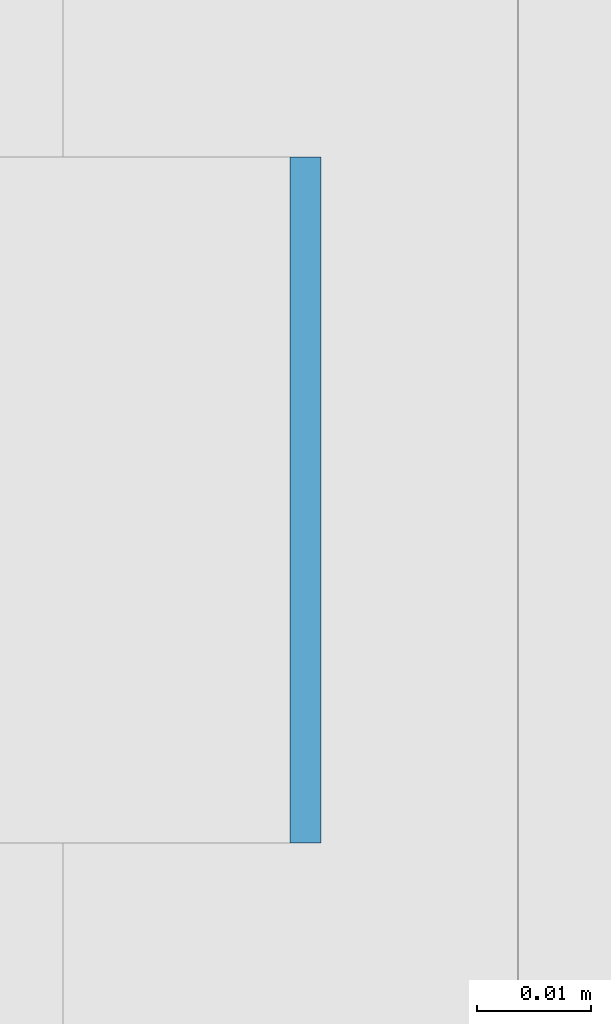
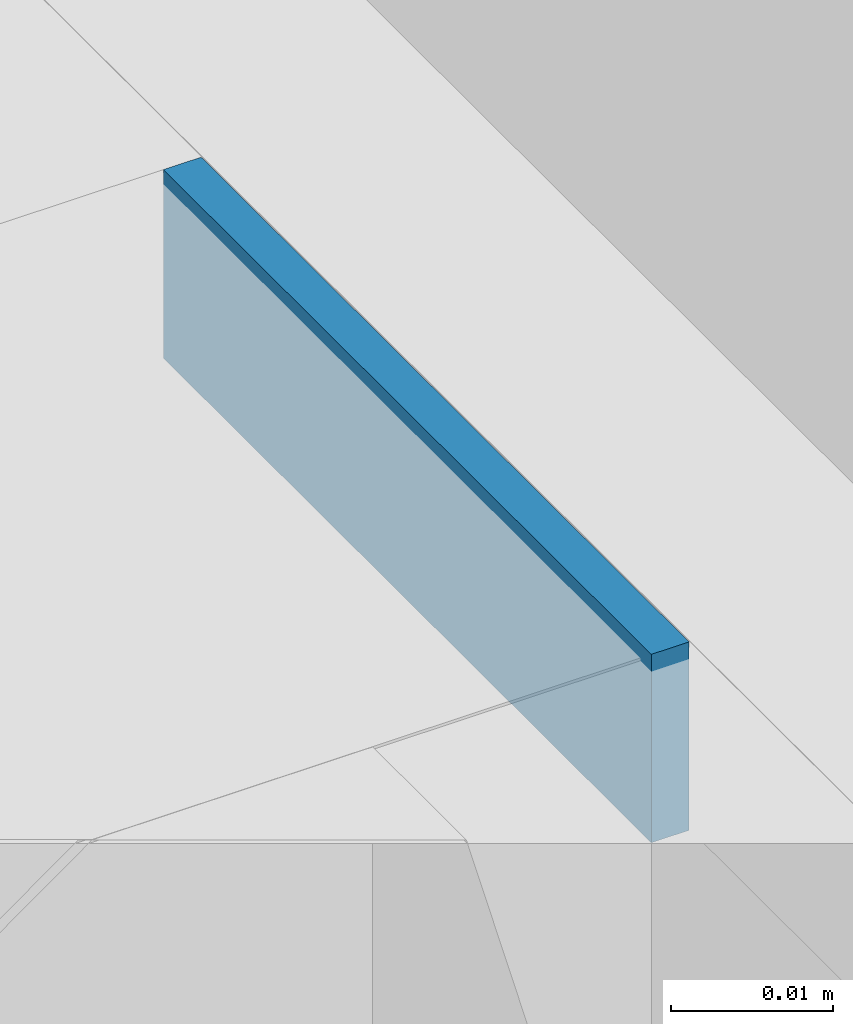
# One storey, part 327 of 646: 1 discrete accessory.
"""IFC4 building model written with IfcOpenShell, lengths in metres."""

from ifc_helpers import new_model, si_unit, direction, frame, origin, origin_2d, place, context, subcontext, project, spatial, rectangle, extrude, material, type_object, element, save


model = new_model("IFC4")

# Units and contexts
model_context = context("Model", 3, precision=1e-05, world=origin(), true_north=direction((0.0, 1.0)))
body_context = subcontext(model_context, "Body", "Model", "MODEL_VIEW")
ifc_project = project(units=[si_unit("LENGTHUNIT", "METRE"), si_unit("AREAUNIT", "SQUARE_METRE"), si_unit("VOLUMEUNIT", "CUBIC_METRE"), si_unit("PLANEANGLEUNIT", "RADIAN"), si_unit("MASSUNIT", "GRAM", prefix="KILO")], contexts=[model_context])

# Site, building, storey
site_placement = place(None, origin())
site = spatial("IfcSite", under=ifc_project, at=site_placement, CompositionType="ELEMENT")
building_placement = place(site_placement, origin())
building = spatial("IfcBuilding", under=site, at=building_placement, Name="Silverbay Arena", CompositionType="ELEMENT")
storey_placement = place(building_placement, frame((0.0, 0.0, 33.5)))
storey = spatial("IfcBuildingStorey", under=building, at=storey_placement, Name="L05", CompositionType="ELEMENT", Elevation=33.5)

# Discrete accessory
ifc_material = material(Name="Steel S355", Category="steel")
discrete_accessory_type = type_object("IfcDiscreteAccessoryType", Name="Steel bracket plate", PredefinedType="BRACKET", material=ifc_material)
discrete_accessory_placement = place(storey_placement, frame((53.871337890625, 78.428466796875, 12.98583984375), z_axis=(0.0, 0.0, 1.0), x_axis=(1.0, 0.0, 0.0)))
element("IfcDiscreteAccessory", 1, at=discrete_accessory_placement, inside=storey, type_object=discrete_accessory_type, Name="Curtain wall packing plate", PredefinedType="BRACKET", context=body_context, shape_type="SweptSolid", body=[
    extrude(rectangle(XDim=0.002685546875, YDim=0.06005859375, at=origin_2d()), origin(), (0.0, 0.0, 1.0), 0.01416015625),
])

save(model, "model.ifc")
